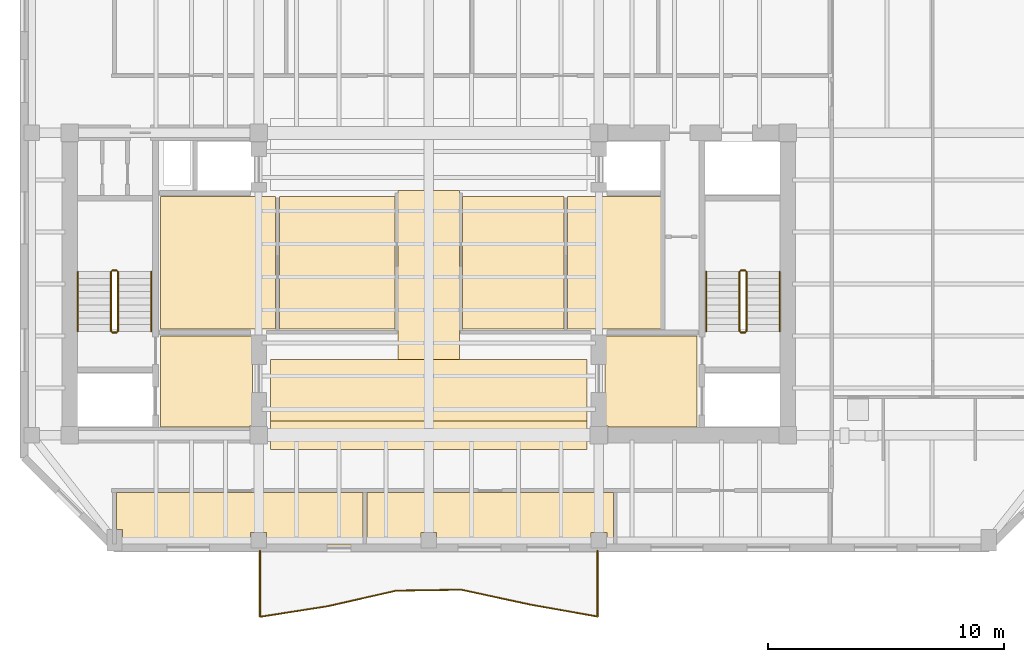
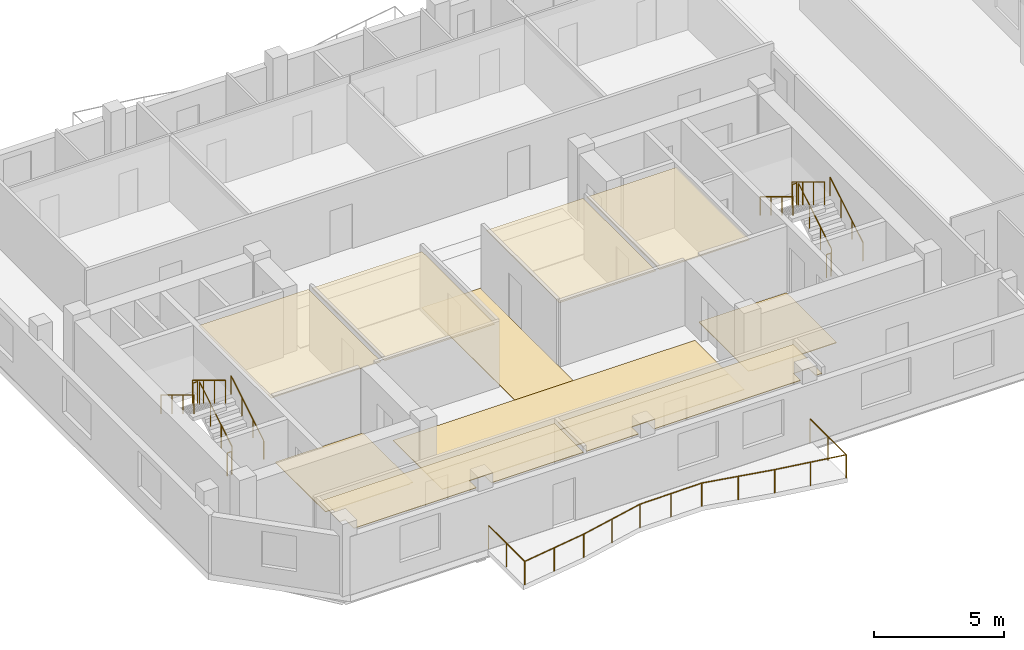
# One storey, part 7 of 9: 13 railings, 11 coverings.
"""IFC4 building model written with IfcOpenShell, lengths in metres."""

from ifc_helpers import new_model, si_unit, direction, frame, origin, origin_2d, place, context, subcontext, project, spatial, polyline, circle, outline, extrude, material, layer, layer_set, type_object, element, save


model = new_model("IFC4")

# Units and contexts
model_context = context("Model", 3, precision=1e-05, world=origin(), true_north=direction((0.0, 1.0)))
body_context = subcontext(model_context, "Body", "Model", "MODEL_VIEW")
ifc_project = project(units=[si_unit("LENGTHUNIT", "METRE"), si_unit("AREAUNIT", "SQUARE_METRE"), si_unit("VOLUMEUNIT", "CUBIC_METRE"), si_unit("PLANEANGLEUNIT", "RADIAN"), si_unit("MASSUNIT", "GRAM", prefix="KILO")], contexts=[model_context])

# Site, building, storey
site_placement = place(None, origin())
site = spatial("IfcSite", under=ifc_project, at=site_placement, CompositionType="ELEMENT")
building_placement = place(site_placement, origin())
building = spatial("IfcBuilding", under=site, at=building_placement, Name="Kranthara Brick Stack", CompositionType="ELEMENT")
storey_placement = place(building_placement, frame((0.0, 0.0, 258.5)))
storey = spatial("IfcBuildingStorey", under=building, at=storey_placement, Name="L68", CompositionType="ELEMENT", Elevation=258.5)

# Coverings
ifc_material_1 = material(Name="Perforated mineral-fibre acoustic ceiling tile", Category="other")
ifc_layer_1 = layer(ifc_material_1, 0.02490234375)
ifc_layer_set_1 = layer_set([ifc_layer_1], Name="Perforated mineral-fibre acoustic ceiling tile")
covering_type_1 = type_object("IfcCoveringType", Name="COV-CEIL-ACOUSTIC", PredefinedType="CEILING", material=ifc_layer_set_1)
covering_1_placement = place(storey_placement, frame((0.0, 0.0, 2.830078125)))
element("IfcCovering", 1, at=covering_1_placement, inside=storey, type_object=covering_type_1, Name="L68 L68 Sky Club Archive Study Acoustic Ceiling", PredefinedType="CEILING", context=body_context, shape_type="SweptSolid", body=[
    extrude(outline(polyline([(21.52001953125, 25.300048828125), (21.52001953125, 30.89990234375), (16.64990234375, 30.89990234375), (16.64990234375, 25.300048828125), (21.52001953125, 25.300048828125)])), origin(), (0.0, 0.0, 1.0), 0.02490234375),
])
covering_2_placement = place(storey_placement, frame((0.0, 0.0, 2.830078125)))
element("IfcCovering", 2, at=covering_2_placement, inside=storey, type_object=covering_type_1, Name="L68 L68 Sky Club Lounge Salon Acoustic Ceiling", PredefinedType="CEILING", context=body_context, shape_type="SweptSolid", body=[
    extrude(outline(polyline([(26.570068359375, 25.300048828125), (26.570068359375, 30.89990234375), (21.679931640625, 30.89990234375), (21.679931640625, 25.300048828125), (26.570068359375, 25.300048828125)])), origin(), (0.0, 0.0, 1.0), 0.02490234375),
])
covering_3_placement = place(storey_placement, frame((0.0, 0.0, 2.830078125)))
element("IfcCovering", 3, at=covering_3_placement, inside=storey, type_object=covering_type_1, Name="L68 L68 Sky Club Sky Salon Acoustic Ceiling", PredefinedType="CEILING", context=body_context, shape_type="SweptSolid", body=[
    extrude(outline(polyline([(33.719970703125, 25.300048828125), (33.719970703125, 30.89990234375), (29.429931640625, 30.89990234375), (29.429931640625, 25.300048828125), (33.719970703125, 25.300048828125)])), origin(), (0.0, 0.0, 1.0), 0.02490234375),
])
covering_4_placement = place(storey_placement, frame((0.0, 0.0, 2.830078125)))
element("IfcCovering", 4, at=covering_4_placement, inside=storey, type_object=covering_type_1, Name="L68 L68 Sky Club Wine Tasting Room Acoustic Ceiling", PredefinedType="CEILING", context=body_context, shape_type="SweptSolid", body=[
    extrude(outline(polyline([(37.8798828125, 25.300048828125), (37.8798828125, 30.89990234375), (33.8798828125, 30.89990234375), (33.8798828125, 25.300048828125), (37.8798828125, 25.300048828125)])), origin(), (0.0, 0.0, 1.0), 0.02490234375),
])
covering_5_placement = place(storey_placement, frame((0.0, 0.0, 2.830078125)))
element("IfcCovering", 5, at=covering_5_placement, inside=storey, type_object=covering_type_1, Name="L68 L68 Sky Club Observation Lounge 1 Acoustic Ceiling", PredefinedType="CEILING", context=body_context, shape_type="SweptSolid", body=[
    extrude(outline(polyline([(25.218017578125, 18.3798828125), (25.218017578125, 16.14990234375), (21.135009765625, 16.14990234375), (21.135009765625, 16.68505859375), (20.465087890625, 16.68505859375), (20.465087890625, 16.14990234375), (15.034912109375, 16.14990234375), (15.034912109375, 16.81005859375), (14.780029296875, 16.81005859375), (14.780029296875, 18.3798828125), (25.218017578125, 18.3798828125)])), origin(), (0.0, 0.0, 1.0), 0.02490234375),
])
covering_6_placement = place(storey_placement, frame((0.0, 0.0, 2.830078125)))
element("IfcCovering", 6, at=covering_6_placement, inside=storey, type_object=covering_type_1, Name="L68 L68 Sky Club Observation Lounge 2 Acoustic Ceiling", PredefinedType="CEILING", context=body_context, shape_type="SweptSolid", body=[
    extrude(outline(polyline([(25.3779296875, 18.3798828125), (35.81591796875, 18.3798828125), (35.81591796875, 16.14990234375), (35.534912109375, 16.14990234375), (35.534912109375, 16.68505859375), (34.864990234375, 16.68505859375), (34.864990234375, 16.14990234375), (28.3349609375, 16.14990234375), (28.3349609375, 16.68505859375), (27.6650390625, 16.68505859375), (27.6650390625, 16.14990234375), (25.3779296875, 16.14990234375), (25.3779296875, 18.3798828125)])), origin(), (0.0, 0.0, 1.0), 0.02490234375),
])
ifc_material_2 = material(Name="Honed terrazzo and porcelain floor finish", Category="stone")
ifc_layer_2 = layer(ifc_material_2, 0.030029296875)
ifc_layer_set_2 = layer_set([ifc_layer_2], Name="Honed terrazzo and porcelain floor finish")
covering_type_2 = type_object("IfcCoveringType", Name="COV-FLOR-STONE", PredefinedType="FLOORING", material=ifc_layer_set_2)
covering_7_placement = place(storey_placement, origin())
element("IfcCovering", 7, at=covering_7_placement, inside=storey, type_object=covering_type_2, Name="L68 Lift Lobby Stone Flooring", PredefinedType="FLOORING", context=body_context, shape_type="SweptSolid", body=[
    extrude(outline(polyline([(16.64990234375, 21.14990234375), (16.64990234375, 25.0), (20.550048828125, 25.0), (20.550048828125, 21.18505859375), (20.4150390625, 21.18505859375), (20.4150390625, 21.14990234375), (16.64990234375, 21.14990234375)])), origin(), (0.0, 0.0, 1.0), 0.030029296875),
])
covering_8_placement = place(storey_placement, origin())
element("IfcCovering", 8, at=covering_8_placement, inside=storey, type_object=covering_type_2, Name="L68 Lift Lobby Stone Flooring", PredefinedType="FLOORING", context=body_context, shape_type="SweptSolid", body=[
    extrude(outline(polyline([(35.449951171875, 25.0), (39.35009765625, 25.0), (39.35009765625, 21.14990234375), (35.5849609375, 21.14990234375), (35.5849609375, 21.18505859375), (35.449951171875, 21.18505859375), (35.449951171875, 25.0)])), origin(), (0.0, 0.0, 1.0), 0.030029296875),
])
covering_9_placement = place(storey_placement, origin())
element("IfcCovering", 9, at=covering_9_placement, inside=storey, type_object=covering_type_2, Name="L68 Lift Lobby Stone Flooring", PredefinedType="FLOORING", context=body_context, shape_type="SweptSolid", body=[
    extrude(outline(polyline([(34.699951171875, 21.39990234375), (34.699951171875, 24.0), (21.300048828125, 24.0), (21.300048828125, 21.39990234375), (34.699951171875, 21.39990234375)])), origin(), (0.0, 0.0, 1.0), 0.030029296875),
])
covering_10_placement = place(storey_placement, origin())
element("IfcCovering", 10, at=covering_10_placement, inside=storey, type_object=covering_type_2, Name="L68 Lift Lobby Stone Flooring", PredefinedType="FLOORING", context=body_context, shape_type="SweptSolid", body=[
    extrude(outline(polyline([(29.300048828125, 24.0), (26.699951171875, 24.0), (26.699951171875, 31.14990234375), (29.300048828125, 31.14990234375), (29.300048828125, 24.0)])), origin(), (0.0, 0.0, 1.0), 0.030029296875),
])
covering_11_placement = place(storey_placement, origin())
element("IfcCovering", 11, at=covering_11_placement, inside=storey, type_object=covering_type_2, Name="L68 Lift Lobby Stone Flooring", PredefinedType="FLOORING", context=body_context, shape_type="SweptSolid", body=[
    extrude(outline(polyline([(34.699951171875, 20.199951171875), (21.300048828125, 20.199951171875), (21.300048828125, 21.39990234375), (34.699951171875, 21.39990234375), (34.699951171875, 20.199951171875)])), origin(), (0.0, 0.0, 1.0), 0.030029296875),
])

# Railings
ifc_material_3 = material(Name="Bronze anodised aluminium and laminated glass balustrade", Category="aluminium")
railing_type_1 = type_object("IfcRailingType", Name="RL-BALC-1120", PredefinedType="BALUSTRADE", material=ifc_material_3)
railing_1_placement = place(storey_placement, frame((35.139892578125, 15.909912109375, 0.0)))
element("IfcRailing", 12, at=railing_1_placement, inside=storey, type_object=railing_type_1, Name="L68 South Rippling Balcony Balustrade", PredefinedType="BALUSTRADE", context=body_context, shape_type="SweptSolid", body=[
    extrude(circle(Radius=0.02392578125, at=origin_2d()), frame((0.0, 0.0, 1.09619140625), z_axis=(0.000262973343, -0.999999965423, 0.0), x_axis=(0.999999965423, 0.000262973343, 0.0)), (0.0, 0.0, 1.0), 2.78515625),
    extrude(circle(Radius=0.02392578125, at=origin_2d()), frame((0.000732421875, -2.78515625, 1.09619140625), z_axis=(-0.984566023333, 0.175013558611, 0.0), x_axis=(-0.175013558611, -0.984566023333, 0.0)), (0.0, 0.0, 1.0), 2.92529296875),
    extrude(circle(Radius=0.02392578125, at=origin_2d()), frame((-2.87939453125, -2.273193359375, 1.09619140625), z_axis=(-0.977378540173, 0.211497492207, 0.0), x_axis=(-0.211497492207, -0.977378540173, 0.0)), (0.0, 0.0, 1.0), 2.947021484375),
    extrude(circle(Radius=0.02392578125, at=origin_2d()), frame((-5.759765625, -1.64990234375, 1.09619140625), z_axis=(-0.999892210905, -0.014682185494, 0.0), x_axis=(0.014682185494, -0.999892210905, 0.0)), (0.0, 0.0, 1.0), 2.76025390625),
    extrude(circle(Radius=0.02392578125, at=origin_2d()), frame((-8.519775390625, -1.6904296875, 1.09619140625), z_axis=(-0.975058123143, -0.221949671081, 0.0), x_axis=(0.221949671081, -0.975058123143, 0.0)), (0.0, 0.0, 1.0), 2.95458984375),
    extrude(circle(Radius=0.02392578125, at=origin_2d()), frame((-11.400634765625, -2.34619140625, 1.09619140625), z_axis=(-0.987936867674, -0.154857177715, 0.0), x_axis=(0.154857177715, -0.987936867674, 0.0)), (0.0, 0.0, 1.0), 2.9150390625),
    extrude(circle(Radius=0.02392578125, at=origin_2d()), frame((-14.280517578125, -2.797607421875, 1.09619140625), z_axis=(0.000261802941, 0.99999996573, 0.0), x_axis=(-0.99999996573, 0.000261802941, 0.0)), (0.0, 0.0, 1.0), 2.797607421875),
    extrude(circle(Radius=0.02099609375, at=origin_2d()), origin(), (0.0, 0.0, 1.0), 1.072021484375),
    extrude(circle(Radius=0.02099609375, at=origin_2d()), frame((0.00048828125, -1.392578125, 0.0)), (0.0, 0.0, 1.0), 1.072021484375),
    extrude(circle(Radius=0.02099609375, at=origin_2d()), frame((0.000732421875, -2.78515625, 0.0)), (0.0, 0.0, 1.0), 1.072021484375),
    extrude(circle(Radius=0.02099609375, at=origin_2d()), frame((-1.439453125, -2.529296875, 0.0)), (0.0, 0.0, 1.0), 1.072021484375),
    extrude(circle(Radius=0.02099609375, at=origin_2d()), frame((-2.87939453125, -2.273193359375, 0.0)), (0.0, 0.0, 1.0), 1.072021484375),
    extrude(circle(Radius=0.02099609375, at=origin_2d()), frame((-4.319580078125, -1.96142578125, 0.0)), (0.0, 0.0, 1.0), 1.072021484375),
    extrude(circle(Radius=0.02099609375, at=origin_2d()), frame((-5.759765625, -1.64990234375, 0.0)), (0.0, 0.0, 1.0), 1.072021484375),
    extrude(circle(Radius=0.02099609375, at=origin_2d()), frame((-7.1396484375, -1.670166015625, 0.0)), (0.0, 0.0, 1.0), 1.072021484375),
    extrude(circle(Radius=0.02099609375, at=origin_2d()), frame((-8.519775390625, -1.6904296875, 0.0)), (0.0, 0.0, 1.0), 1.072021484375),
    extrude(circle(Radius=0.02099609375, at=origin_2d()), frame((-9.960205078125, -2.018310546875, 0.0)), (0.0, 0.0, 1.0), 1.072021484375),
    extrude(circle(Radius=0.02099609375, at=origin_2d()), frame((-11.400634765625, -2.34619140625, 0.0)), (0.0, 0.0, 1.0), 1.072021484375),
    extrude(circle(Radius=0.02099609375, at=origin_2d()), frame((-12.840576171875, -2.57177734375, 0.0)), (0.0, 0.0, 1.0), 1.072021484375),
    extrude(circle(Radius=0.02099609375, at=origin_2d()), frame((-14.280517578125, -2.797607421875, 0.0)), (0.0, 0.0, 1.0), 1.072021484375),
    extrude(circle(Radius=0.02099609375, at=origin_2d()), frame((-14.2802734375, -1.39892578125, 0.0)), (0.0, 0.0, 1.0), 1.072021484375),
    extrude(circle(Radius=0.02099609375, at=origin_2d()), frame((-14.27978515625, 0.0, 0.0)), (0.0, 0.0, 1.0), 1.072021484375),
])
ifc_material_4 = material(Name="Painted galvanized steel stair guardrail", Category="steel")
railing_type_2 = type_object("IfcRailingType", Name="RL-STAIR-GUARD-1100", PredefinedType="GUARDRAIL", material=ifc_material_4)
railing_2_placement = place(storey_placement, frame((14.85009765625, 25.199951171875, 0.169921875)))
element("IfcRailing", 13, at=railing_2_placement, inside=storey, type_object=railing_type_2, Name="L68 ST01 stair guard 1", PredefinedType="GUARDRAIL", context=body_context, shape_type="SweptSolid", body=[
    extrude(circle(Radius=0.02392578125, at=origin_2d()), frame((0.0, 0.0, 1.076171875), z_axis=(0.0, 0.85478489116, 0.518982456201), x_axis=(-1.0, 0.0, 0.0)), (0.0, 0.0, 1.0), 2.9482421875),
    extrude(circle(Radius=0.02099609375, at=origin_2d()), origin(), (0.0, 0.0, 1.0), 1.052001953125),
    extrude(circle(Radius=0.02099609375, at=origin_2d()), frame((0.0, 0.840087890625, 0.510009765625)), (0.0, 0.0, 1.0), 1.052001953125),
    extrude(circle(Radius=0.02099609375, at=origin_2d()), frame((0.0, 1.679931640625, 1.02001953125)), (0.0, 0.0, 1.0), 1.052001953125),
    extrude(circle(Radius=0.02099609375, at=origin_2d()), frame((0.0, 2.52001953125, 1.530029296875)), (0.0, 0.0, 1.0), 1.052001953125),
])
railing_3_placement = place(storey_placement, frame((14.800048828125, 27.77001953125, 1.699951171875)))
element("IfcRailing", 14, at=railing_3_placement, inside=storey, type_object=railing_type_2, Name="L68 ST01 stair guard 2", PredefinedType="GUARDRAIL", context=body_context, shape_type="SweptSolid", body=[
    extrude(circle(Radius=0.02392578125, at=origin_2d()), frame((0.0, 0.0, 1.076171875), z_axis=(-1.0, 0.0, 0.0), x_axis=(0.0, -1.0, 0.0)), (0.0, 0.0, 1.0), 0.199951171875),
    extrude(circle(Radius=0.02099609375, at=origin_2d()), origin(), (0.0, 0.0, 1.0), 1.052001953125),
    extrude(circle(Radius=0.02099609375, at=origin_2d()), frame((-0.199951171875, 0.0, 0.0)), (0.0, 0.0, 1.0), 1.052001953125),
])
railing_4_placement = place(storey_placement, frame((14.550048828125, 27.719970703125, 1.8701171875)))
element("IfcRailing", 15, at=railing_4_placement, inside=storey, type_object=railing_type_2, Name="L68 ST01 stair guard 3", PredefinedType="GUARDRAIL", context=body_context, shape_type="SweptSolid", body=[
    extrude(circle(Radius=0.02392578125, at=origin_2d()), frame((0.0, 0.0, 1.076171875), z_axis=(0.0, -0.854821627497, 0.518921945155), x_axis=(1.0, 0.0, 0.0)), (0.0, 0.0, 1.0), 2.947998046875),
    extrude(circle(Radius=0.02099609375, at=origin_2d()), origin(), (0.0, 0.0, 1.0), 1.052001953125),
    extrude(circle(Radius=0.02099609375, at=origin_2d()), frame((0.0, -0.840087890625, 0.510009765625)), (0.0, 0.0, 1.0), 1.052001953125),
    extrude(circle(Radius=0.02099609375, at=origin_2d()), frame((0.0, -1.679931640625, 1.019775390625)), (0.0, 0.0, 1.0), 1.052001953125),
    extrude(circle(Radius=0.02099609375, at=origin_2d()), frame((0.0, -2.52001953125, 1.52978515625)), (0.0, 0.0, 1.0), 1.052001953125),
])
railing_5_placement = place(storey_placement, frame((14.800048828125, 25.14990234375, 0.0)))
element("IfcRailing", 16, at=railing_5_placement, inside=storey, type_object=railing_type_2, Name="L68 ST01 stair guard 4", PredefinedType="GUARDRAIL", context=body_context, shape_type="SweptSolid", body=[
    extrude(circle(Radius=0.02392578125, at=origin_2d()), frame((0.0, 0.0, 1.076171875), z_axis=(-1.0, 0.0, 0.0), x_axis=(0.0, -1.0, 0.0)), (0.0, 0.0, 1.0), 0.199951171875),
    extrude(circle(Radius=0.02099609375, at=origin_2d()), origin(), (0.0, 0.0, 1.0), 1.052001953125),
    extrude(circle(Radius=0.02099609375, at=origin_2d()), frame((-0.199951171875, 0.0, 0.0)), (0.0, 0.0, 1.0), 1.052001953125),
])
railing_6_placement = place(storey_placement, frame((41.449951171875, 25.199951171875, 0.169921875)))
element("IfcRailing", 17, at=railing_6_placement, inside=storey, type_object=railing_type_2, Name="L68 ST02 stair guard 1", PredefinedType="GUARDRAIL", context=body_context, shape_type="SweptSolid", body=[
    extrude(circle(Radius=0.02392578125, at=origin_2d()), frame((0.0, 0.0, 1.076171875), z_axis=(0.0, 0.85478489116, 0.518982456201), x_axis=(-1.0, 0.0, 0.0)), (0.0, 0.0, 1.0), 2.9482421875),
    extrude(circle(Radius=0.02099609375, at=origin_2d()), origin(), (0.0, 0.0, 1.0), 1.052001953125),
    extrude(circle(Radius=0.02099609375, at=origin_2d()), frame((0.0, 0.840087890625, 0.510009765625)), (0.0, 0.0, 1.0), 1.052001953125),
    extrude(circle(Radius=0.02099609375, at=origin_2d()), frame((0.0, 1.679931640625, 1.02001953125)), (0.0, 0.0, 1.0), 1.052001953125),
    extrude(circle(Radius=0.02099609375, at=origin_2d()), frame((0.0, 2.52001953125, 1.530029296875)), (0.0, 0.0, 1.0), 1.052001953125),
])
railing_7_placement = place(storey_placement, frame((41.39990234375, 27.77001953125, 1.699951171875)))
element("IfcRailing", 18, at=railing_7_placement, inside=storey, type_object=railing_type_2, Name="L68 ST02 stair guard 2", PredefinedType="GUARDRAIL", context=body_context, shape_type="SweptSolid", body=[
    extrude(circle(Radius=0.02392578125, at=origin_2d()), frame((0.0, 0.0, 1.076171875), z_axis=(-1.0, 0.0, 0.0), x_axis=(0.0, -1.0, 0.0)), (0.0, 0.0, 1.0), 0.199951171875),
    extrude(circle(Radius=0.02099609375, at=origin_2d()), origin(), (0.0, 0.0, 1.0), 1.052001953125),
    extrude(circle(Radius=0.02099609375, at=origin_2d()), frame((-0.199951171875, 0.0, 0.0)), (0.0, 0.0, 1.0), 1.052001953125),
])
railing_8_placement = place(storey_placement, frame((41.14990234375, 27.719970703125, 1.8701171875)))
element("IfcRailing", 19, at=railing_8_placement, inside=storey, type_object=railing_type_2, Name="L68 ST02 stair guard 3", PredefinedType="GUARDRAIL", context=body_context, shape_type="SweptSolid", body=[
    extrude(circle(Radius=0.02392578125, at=origin_2d()), frame((0.0, 0.0, 1.076171875), z_axis=(0.0, -0.854821627497, 0.518921945155), x_axis=(1.0, 0.0, 0.0)), (0.0, 0.0, 1.0), 2.947998046875),
    extrude(circle(Radius=0.02099609375, at=origin_2d()), origin(), (0.0, 0.0, 1.0), 1.052001953125),
    extrude(circle(Radius=0.02099609375, at=origin_2d()), frame((0.0, -0.840087890625, 0.510009765625)), (0.0, 0.0, 1.0), 1.052001953125),
    extrude(circle(Radius=0.02099609375, at=origin_2d()), frame((0.0, -1.679931640625, 1.019775390625)), (0.0, 0.0, 1.0), 1.052001953125),
    extrude(circle(Radius=0.02099609375, at=origin_2d()), frame((0.0, -2.52001953125, 1.52978515625)), (0.0, 0.0, 1.0), 1.052001953125),
])
railing_9_placement = place(storey_placement, frame((41.39990234375, 25.14990234375, 0.0)))
element("IfcRailing", 20, at=railing_9_placement, inside=storey, type_object=railing_type_2, Name="L68 ST02 stair guard 4", PredefinedType="GUARDRAIL", context=body_context, shape_type="SweptSolid", body=[
    extrude(circle(Radius=0.02392578125, at=origin_2d()), frame((0.0, 0.0, 1.076171875), z_axis=(-1.0, 0.0, 0.0), x_axis=(0.0, -1.0, 0.0)), (0.0, 0.0, 1.0), 0.199951171875),
    extrude(circle(Radius=0.02099609375, at=origin_2d()), origin(), (0.0, 0.0, 1.0), 1.052001953125),
    extrude(circle(Radius=0.02099609375, at=origin_2d()), frame((-0.199951171875, 0.0, 0.0)), (0.0, 0.0, 1.0), 1.052001953125),
])
ifc_material_5 = material(Name="Brushed stainless steel tubular handrail", Category="steel")
railing_type_3 = type_object("IfcRailingType", Name="RL-STAIR-HAND-900", PredefinedType="HANDRAIL", material=ifc_material_5)
railing_10_placement = place(storey_placement, frame((16.25, 25.199951171875, 0.169921875)))
element("IfcRailing", 21, at=railing_10_placement, inside=storey, type_object=railing_type_3, Name="L68 ST01 stair handrail 1", PredefinedType="HANDRAIL", context=body_context, shape_type="SweptSolid", body=[
    extrude(circle(Radius=0.02392578125, at=origin_2d()), frame((0.0, 0.0, 0.8759765625), z_axis=(0.0, 0.85478489116, 0.518982456201), x_axis=(-1.0, 0.0, 0.0)), (0.0, 0.0, 1.0), 2.9482421875),
    extrude(circle(Radius=0.02099609375, at=origin_2d()), origin(), (0.0, 0.0, 1.0), 0.851806640625),
    extrude(circle(Radius=0.02099609375, at=origin_2d()), frame((0.0, 0.840087890625, 0.510009765625)), (0.0, 0.0, 1.0), 0.851806640625),
    extrude(circle(Radius=0.02099609375, at=origin_2d()), frame((0.0, 1.679931640625, 1.02001953125)), (0.0, 0.0, 1.0), 0.851806640625),
    extrude(circle(Radius=0.02099609375, at=origin_2d()), frame((0.0, 2.52001953125, 1.530029296875)), (0.0, 0.0, 1.0), 0.851806640625),
])
railing_11_placement = place(storey_placement, frame((13.14990234375, 27.719970703125, 1.8701171875)))
element("IfcRailing", 22, at=railing_11_placement, inside=storey, type_object=railing_type_3, Name="L68 ST01 stair handrail 2", PredefinedType="HANDRAIL", context=body_context, shape_type="SweptSolid", body=[
    extrude(circle(Radius=0.02392578125, at=origin_2d()), frame((0.0, 0.0, 0.8759765625), z_axis=(0.0, -0.854821627497, 0.518921945155), x_axis=(1.0, 0.0, 0.0)), (0.0, 0.0, 1.0), 2.947998046875),
    extrude(circle(Radius=0.02099609375, at=origin_2d()), origin(), (0.0, 0.0, 1.0), 0.851806640625),
    extrude(circle(Radius=0.02099609375, at=origin_2d()), frame((0.0, -0.840087890625, 0.510009765625)), (0.0, 0.0, 1.0), 0.851806640625),
    extrude(circle(Radius=0.02099609375, at=origin_2d()), frame((0.0, -1.679931640625, 1.019775390625)), (0.0, 0.0, 1.0), 0.851806640625),
    extrude(circle(Radius=0.02099609375, at=origin_2d()), frame((0.0, -2.52001953125, 1.52978515625)), (0.0, 0.0, 1.0), 0.851806640625),
])
railing_12_placement = place(storey_placement, frame((42.85009765625, 25.199951171875, 0.169921875)))
element("IfcRailing", 23, at=railing_12_placement, inside=storey, type_object=railing_type_3, Name="L68 ST02 stair handrail 1", PredefinedType="HANDRAIL", context=body_context, shape_type="SweptSolid", body=[
    extrude(circle(Radius=0.02392578125, at=origin_2d()), frame((0.0, 0.0, 0.8759765625), z_axis=(0.0, 0.85478489116, 0.518982456201), x_axis=(-1.0, 0.0, 0.0)), (0.0, 0.0, 1.0), 2.9482421875),
    extrude(circle(Radius=0.02099609375, at=origin_2d()), origin(), (0.0, 0.0, 1.0), 0.851806640625),
    extrude(circle(Radius=0.02099609375, at=origin_2d()), frame((0.0, 0.840087890625, 0.510009765625)), (0.0, 0.0, 1.0), 0.851806640625),
    extrude(circle(Radius=0.02099609375, at=origin_2d()), frame((0.0, 1.679931640625, 1.02001953125)), (0.0, 0.0, 1.0), 0.851806640625),
    extrude(circle(Radius=0.02099609375, at=origin_2d()), frame((0.0, 2.52001953125, 1.530029296875)), (0.0, 0.0, 1.0), 0.851806640625),
])
railing_13_placement = place(storey_placement, frame((39.75, 27.719970703125, 1.8701171875)))
element("IfcRailing", 24, at=railing_13_placement, inside=storey, type_object=railing_type_3, Name="L68 ST02 stair handrail 2", PredefinedType="HANDRAIL", context=body_context, shape_type="SweptSolid", body=[
    extrude(circle(Radius=0.02392578125, at=origin_2d()), frame((0.0, 0.0, 0.8759765625), z_axis=(0.0, -0.854821627497, 0.518921945155), x_axis=(1.0, 0.0, 0.0)), (0.0, 0.0, 1.0), 2.947998046875),
    extrude(circle(Radius=0.02099609375, at=origin_2d()), origin(), (0.0, 0.0, 1.0), 0.851806640625),
    extrude(circle(Radius=0.02099609375, at=origin_2d()), frame((0.0, -0.840087890625, 0.510009765625)), (0.0, 0.0, 1.0), 0.851806640625),
    extrude(circle(Radius=0.02099609375, at=origin_2d()), frame((0.0, -1.679931640625, 1.019775390625)), (0.0, 0.0, 1.0), 0.851806640625),
    extrude(circle(Radius=0.02099609375, at=origin_2d()), frame((0.0, -2.52001953125, 1.52978515625)), (0.0, 0.0, 1.0), 0.851806640625),
])

save(model, "model.ifc")
